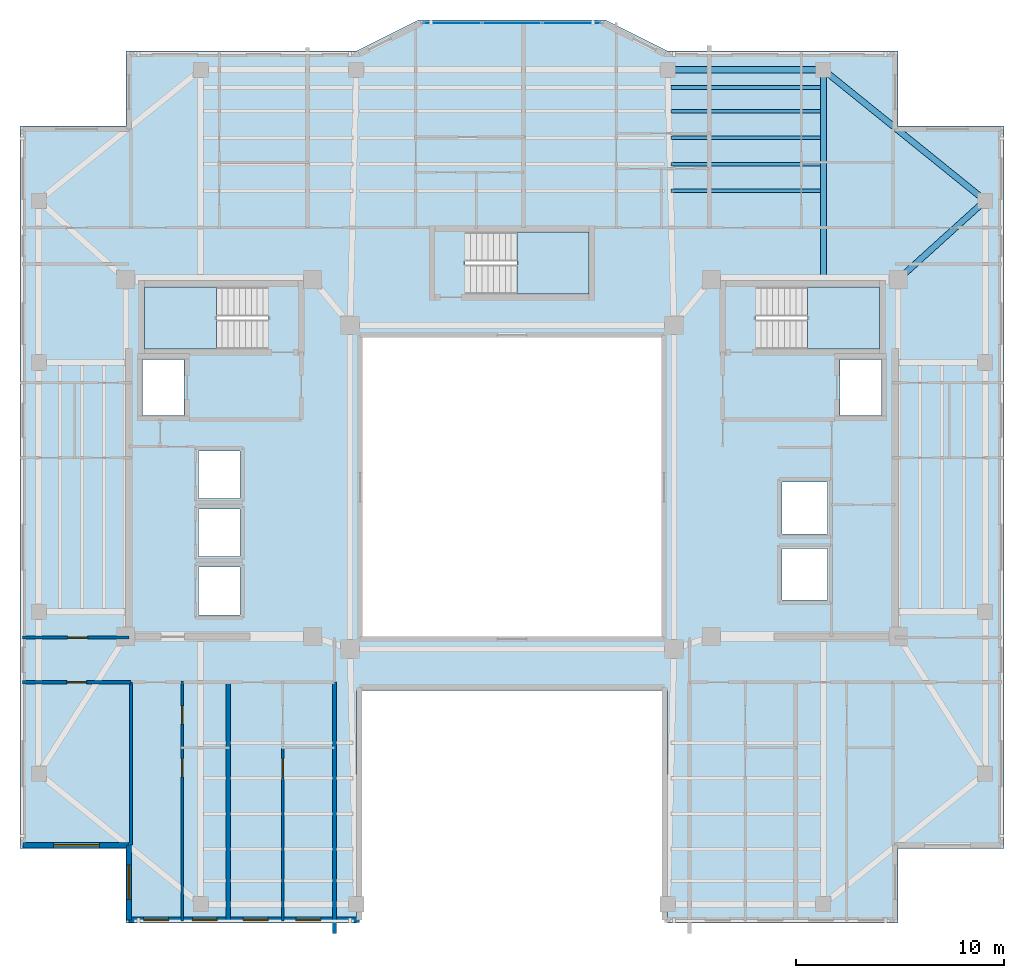
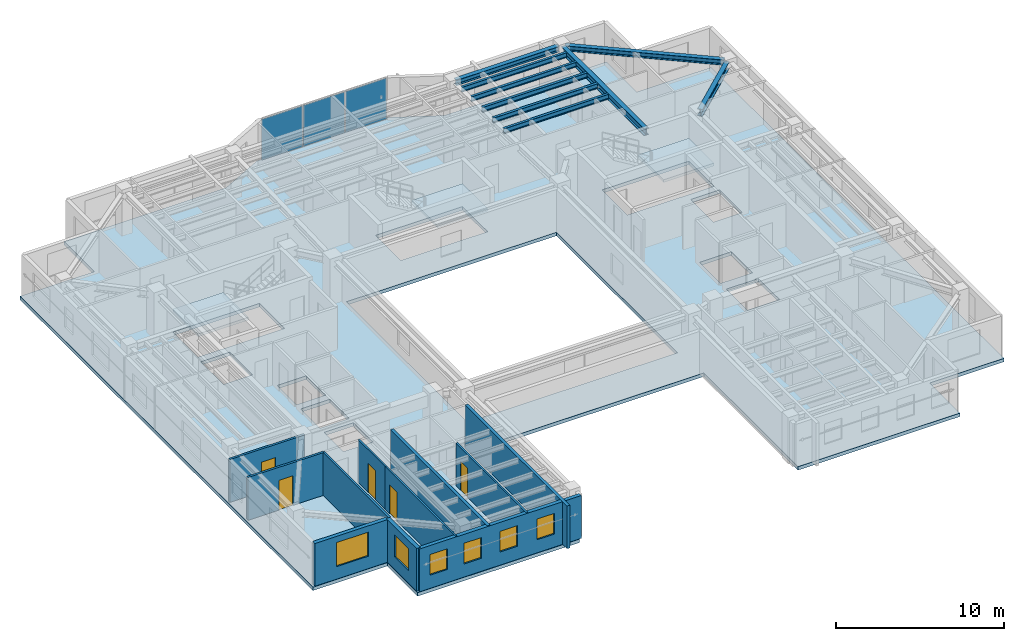
# One storey, part 3 of 12: 11 walls, 9 beams, 6 windows, 5 doors, 4 slabs, 3 plates, 11 openings, 4 elements without a shape of their own.
"""IFC4 building model written with IfcOpenShell, lengths in metres."""

from ifc_helpers import new_model, si_unit, direction, frame, frame_2d, origin, origin_2d, place, context, subcontext, project, spatial, polyline, rectangle, i_section, outline, extrude, material, layer, layer_set, material_profile, profile_set, type_object, element, fill, aggregate, save


model = new_model("IFC4")

# Units and contexts
model_context = context("Model", 3, precision=1e-05, world=origin(), true_north=direction((0.0, 1.0)))
body_context = subcontext(model_context, "Body", "Model", "MODEL_VIEW")
ifc_project = project(units=[si_unit("LENGTHUNIT", "METRE"), si_unit("AREAUNIT", "SQUARE_METRE"), si_unit("VOLUMEUNIT", "CUBIC_METRE"), si_unit("PLANEANGLEUNIT", "RADIAN"), si_unit("MASSUNIT", "GRAM", prefix="KILO")], contexts=[model_context])

# Site, building, storey
site_placement = place(None, origin())
site = spatial("IfcSite", under=ifc_project, at=site_placement, CompositionType="ELEMENT")
building_placement = place(site_placement, origin())
building = spatial("IfcBuilding", under=site, at=building_placement, Name="Tarnavaz Court Tower", CompositionType="ELEMENT")
storey_placement = place(building_placement, frame((0.0, 0.0, 207.0)))
storey = spatial("IfcBuildingStorey", under=building, at=storey_placement, Name="L56", CompositionType="ELEMENT", Elevation=207.0)

# Beams
ifc_material_1 = material(Name="Steel S355", Category="steel")
ifc_material_profile_1 = material_profile(ifc_material_1, i_section(OverallWidth=0.300048828125, OverallDepth=0.5, WebThickness=0.014404296875, FlangeThickness=0.028076171875, FilletRadius=0.027099609375, at=origin_2d()), Name="HEB 500")
ifc_profile_set_1 = profile_set([ifc_material_profile_1], Name="Steel S355")
beam_type_1 = type_object("IfcBeamType", Name="BM-G-HEB500", PredefinedType="USERDEFINED", material=ifc_profile_set_1)
beam_1_placement = place(storey_placement, frame((15.0, 10.0400390625, 2.85009765625), z_axis=(0.0, 1.0, 0.0), x_axis=(-1.0, 0.0, 0.0)))
element("IfcBeam", 1, at=beam_1_placement, inside=storey, type_object=beam_type_1, Name="L56 Beam RG-04", ObjectType="GIRDER", PredefinedType="USERDEFINED", context=body_context, shape_type="SweptSolid", body=[
    extrude(i_section(OverallWidth=0.300048828125, OverallDepth=0.5, WebThickness=0.014404296875, FlangeThickness=0.028076171875, FilletRadius=0.027099609375, at=origin_2d()), origin(), (0.0, 0.0, 1.0), 9.83984375),
])
beam_2_placement = place(storey_placement, frame((18.76318359375, 10.147705078125, 2.85009765625), z_axis=(0.741555708494, 0.670891296113, 0.0), x_axis=(-0.670891296113, 0.741555708494, 0.0)))
element("IfcBeam", 2, at=beam_2_placement, inside=storey, type_object=beam_type_1, Name="L56 Beam RG-12", ObjectType="GIRDER", PredefinedType="USERDEFINED", context=body_context, shape_type="SweptSolid", body=[
    extrude(i_section(OverallWidth=0.300048828125, OverallDepth=0.5, WebThickness=0.014404296875, FlangeThickness=0.028076171875, FilletRadius=0.027099609375, at=origin_2d()), origin(), (0.0, 0.0, 1.0), 5.223876953125),
])
ifc_material_profile_2 = material_profile(ifc_material_1, i_section(OverallWidth=0.169921875, OverallDepth=0.360107421875, WebThickness=0.008056640625, FlangeThickness=0.0126953125, FilletRadius=0.01806640625, at=origin_2d()), Name="IPE 360")
ifc_profile_set_2 = profile_set([ifc_material_profile_2], Name="Steel S355")
beam_type_2 = type_object("IfcBeamType", Name="BM-J-IPE360", PredefinedType="JOIST", material=ifc_profile_set_2)
for number, where, z_axis, x_axis, name in (
    (3, (7.64990234375, 14.278076171875, 2.919921875), (1.0, 0.0, 0.0), (0.0, 1.0, 0.0), "L56 Beam JN1-3"),
    (4, (7.64990234375, 15.555908203125, 2.919921875), (1.0, 0.0, 0.0), (0.0, 1.0, 0.0), "L56 Beam JN2-3"),
    (5, (7.64990234375, 16.833984375, 2.919921875), (1.0, 0.0, 0.0), (0.0, 1.0, 0.0), "L56 Beam JN3-3"),
    (6, (7.64990234375, 18.112060546875, 2.919921875), (1.0, 0.0, 0.0), (0.0, 1.0, 0.0), "L56 Beam JN4-3"),
    (7, (7.64990234375, 19.248046875, 2.919921875), (1.0, 0.0, 0.0), (0.0, 1.0, 0.0), "L56 Beam JN5-3"),
):
    element("IfcBeam", number, at=place(storey_placement, frame(where, z_axis=z_axis, x_axis=x_axis)), inside=storey, type_object=beam_type_2, Name=name, PredefinedType="JOIST", context=body_context, shape_type="SweptSolid", body=[
        extrude(i_section(OverallWidth=0.169921875, OverallDepth=0.360107421875, WebThickness=0.008056640625, FlangeThickness=0.0126953125, FilletRadius=0.01806640625, at=origin_2d()), origin(), (0.0, 0.0, 1.0), 7.2001953125),
    ])
ifc_material_profile_3 = material_profile(ifc_material_1, i_section(OverallWidth=0.300048828125, OverallDepth=0.389892578125, WebThickness=0.010986328125, FlangeThickness=0.01904296875, FilletRadius=0.027099609375, at=origin_2d()), Name="HEA 400")
ifc_profile_set_3 = profile_set([ifc_material_profile_3], Name="Steel S355")
beam_type_3 = type_object("IfcBeamType", Name="BM-SP-HEA400", PredefinedType="BEAM", material=ifc_profile_set_3)
beam_3_placement = place(storey_placement, frame((7.719970703125, 20.10009765625, 2.905029296875), z_axis=(1.0, 0.0, 0.0), x_axis=(0.0, 1.0, 0.0)))
element("IfcBeam", 8, at=beam_3_placement, inside=storey, type_object=beam_type_3, Name="L56 Beam PR-PN-3-PN-4", PredefinedType="BEAM", context=body_context, shape_type="SweptSolid", body=[
    extrude(i_section(OverallWidth=0.300048828125, OverallDepth=0.389892578125, WebThickness=0.010986328125, FlangeThickness=0.01904296875, FilletRadius=0.027099609375, at=origin_2d()), origin(), (0.0, 0.0, 1.0), 7.06005859375),
])
beam_4_placement = place(storey_placement, frame((15.171142578125, 19.9619140625, 2.905029296875), z_axis=(0.777935913531, -0.628343627674, 0.0), x_axis=(0.628343627674, 0.777935913531, 0.0)))
element("IfcBeam", 9, at=beam_4_placement, inside=storey, type_object=beam_type_3, Name="L56 Beam PR-PN-4-PE-4", PredefinedType="BEAM", context=body_context, shape_type="SweptSolid", body=[
    extrude(i_section(OverallWidth=0.300048828125, OverallDepth=0.389892578125, WebThickness=0.010986328125, FlangeThickness=0.01904296875, FilletRadius=0.027099609375, at=origin_2d()), origin(), (0.0, 0.0, 1.0), 9.586669921875),
])

# Curtain wall, plates
ifc_material_2 = material(Name="Anodised Aluminium 6063-T6 and Solar Low-E Glazing", Category="aluminium")
ifc_layer_1 = layer(ifc_material_2, 0.159912109375)
ifc_layer_set_1 = layer_set([ifc_layer_1], Name="Anodised Aluminium 6063-T6 and Solar Low-E Glazing")
curtain_wall_type = type_object("IfcCurtainWallType", Name="CW-SYS-03", PredefinedType="NOTDEFINED", material=ifc_layer_set_1)
curtain_wall_placement = place(storey_placement, origin())
curtain_wall = element("IfcCurtainWall", 10, at=curtain_wall_placement, inside=storey, type_object=curtain_wall_type, Name="L56 Iwan Prow Curtain Wall 7", PredefinedType="NOTDEFINED")
ifc_material_3 = material(Name="Double-Glazed Solar Low-E Glass", Category="glass")
ifc_layer_2 = layer(ifc_material_3, 0.028076171875)
ifc_layer_set_2 = layer_set([ifc_layer_2], Name="Double-Glazed Solar Low-E Glass")
plate_type = type_object("IfcPlateType", Name="CW-PAN-GLZ28", PredefinedType="CURTAIN_PANEL", material=ifc_layer_set_2)
plate_1_placement = place(storey_placement, frame((-2.88134765625, 22.35009765625, 0.06494140625), z_axis=(0.0, 0.0, 1.0), x_axis=(1.0, 0.0, 0.0)))
plate_1 = element("IfcPlate", 11, at=plate_1_placement, type_object=plate_type, Name="CW panel 1.1", PredefinedType="CURTAIN_PANEL", context=body_context, shape_type="SweptSolid", body=[
    extrude(rectangle(XDim=2.78759765625, YDim=0.028076171875, at=origin_2d()), origin(), (0.0, 0.0, 1.0), 2.969970703125),
])
plate_2_placement = place(storey_placement, frame((0.0, 22.35009765625, 0.06494140625), z_axis=(0.0, 0.0, 1.0), x_axis=(1.0, 0.0, 0.0)))
plate_2 = element("IfcPlate", 12, at=plate_2_placement, type_object=plate_type, Name="CW panel 2.1", PredefinedType="CURTAIN_PANEL", context=body_context, shape_type="SweptSolid", body=[
    extrude(rectangle(XDim=2.824951171875, YDim=0.028076171875, at=origin_2d()), origin(), (0.0, 0.0, 1.0), 2.969970703125),
])
plate_3_placement = place(storey_placement, frame((2.88134765625, 22.35009765625, 0.06494140625), z_axis=(0.0, 0.0, 1.0), x_axis=(1.0, 0.0, 0.0)))
plate_3 = element("IfcPlate", 13, at=plate_3_placement, type_object=plate_type, Name="CW panel 3.1", PredefinedType="CURTAIN_PANEL", context=body_context, shape_type="SweptSolid", body=[
    extrude(rectangle(XDim=2.78759765625, YDim=0.028076171875, at=origin_2d()), origin(), (0.0, 0.0, 1.0), 2.969970703125),
])
aggregate(curtain_wall, [plate_1, plate_2, plate_3])

# Stair, slab
ifc_material_4 = material(Name="Concrete C40/50", Category="concrete")
stair_type = type_object("IfcStairType", Name="ST-TWR-20R", PredefinedType="HALF_TURN_STAIR", material=ifc_material_4)
stair_1_placement = place(storey_placement, origin())
stair_1 = element("IfcStair", 14, at=stair_1_placement, inside=storey, type_object=stair_type, Name="L56 West Core Pressurized Exit Stair ST-W1", PredefinedType="HALF_TURN_STAIR")
ifc_layer_3 = layer(ifc_material_4, 0.199951171875)
ifc_layer_set_3 = layer_set([ifc_layer_3], Name="Concrete C40/50")
slab_type_1 = type_object("IfcSlabType", Name="SL-LAND-200", PredefinedType="LANDING", material=ifc_layer_set_3)
slab_1_placement = place(storey_placement, frame((0.0, 0.0, 1.47509765625)))
slab_1 = element("IfcSlab", 15, at=slab_1_placement, type_object=slab_type_1, Name="ST-W1 landing 1", PredefinedType="LANDING", context=body_context, shape_type="SweptSolid", body=[
    extrude(outline(polyline([(-14.239990234375, 9.639892578125), (-17.699951171875, 9.639892578125), (-17.699951171875, 6.64990234375), (-14.239990234375, 6.64990234375), (-14.239990234375, 9.639892578125)])), origin(), (0.0, 0.0, 1.0), 0.199951171875),
])
aggregate(stair_1, [slab_1])

stair_2_placement = place(storey_placement, origin())
stair_2 = element("IfcStair", 16, at=stair_2_placement, inside=storey, type_object=stair_type, Name="L56 East Core Pressurized Exit Stair ST-E1", PredefinedType="HALF_TURN_STAIR")
slab_2_placement = place(storey_placement, frame((0.0, 0.0, 1.47509765625)))
slab_2 = element("IfcSlab", 17, at=slab_2_placement, type_object=slab_type_1, Name="ST-E1 landing 1", PredefinedType="LANDING", context=body_context, shape_type="SweptSolid", body=[
    extrude(outline(polyline([(14.239990234375, 6.64990234375), (17.699951171875, 6.64990234375), (17.699951171875, 9.639892578125), (14.239990234375, 9.639892578125), (14.239990234375, 6.64990234375)])), origin(), (0.0, 0.0, 1.0), 0.199951171875),
])
aggregate(stair_2, [slab_2])

stair_3_placement = place(storey_placement, origin())
stair_3 = element("IfcStair", 18, at=stair_3_placement, inside=storey, type_object=stair_type, Name="L56 North Ring Pressurized Exit Stair ST-N1", PredefinedType="HALF_TURN_STAIR")
slab_3_placement = place(storey_placement, frame((0.0, 0.0, 1.47509765625)))
slab_3 = element("IfcSlab", 19, at=slab_3_placement, type_object=slab_type_1, Name="ST-N1 landing 1", PredefinedType="LANDING", context=body_context, shape_type="SweptSolid", body=[
    extrude(outline(polyline([(0.239990234375, 9.300048828125), (3.699951171875, 9.300048828125), (3.699951171875, 12.2900390625), (0.239990234375, 12.2900390625), (0.239990234375, 9.300048828125)])), origin(), (0.0, 0.0, 1.0), 0.199951171875),
])
aggregate(stair_3, [slab_3])

# Slab
ifc_layer_4 = layer(ifc_material_4, 0.25)
ifc_layer_set_4 = layer_set([ifc_layer_4], Name="Concrete C40/50")
slab_type_2 = type_object("IfcSlabType", Name="SL-RES-250", PredefinedType="FLOOR", material=ifc_layer_set_4)
slab_4_placement = place(storey_placement, frame((0.0, 0.0, -0.25)))
element("IfcSlab", 20, at=slab_4_placement, inside=storey, type_object=slab_type_2, Name="L56 Structural Floor Slab", PredefinedType="FLOOR", context=body_context, shape_type="SweptSolid", body=[
    extrude(outline(polyline([(-18.60009765625, -21.0), (-7.5, -21.0), (-7.5, -9.800048828125), (7.5, -9.800048828125), (7.5, -21.0), (18.60009765625, -21.0), (18.60009765625, -17.39990234375), (23.699951171875, -17.39990234375), (23.699951171875, 17.39990234375), (18.60009765625, 17.39990234375), (18.60009765625, 21.0), (7.5, 21.0), (4.5, 22.5), (-4.5, 22.5), (-7.5, 21.0), (-18.60009765625, 21.0), (-18.60009765625, 17.39990234375), (-23.699951171875, 17.39990234375), (-23.699951171875, -17.39990234375), (-18.60009765625, -17.39990234375), (-18.60009765625, -21.0)]), holes=[polyline([(-7.199951171875, -7.199951171875), (7.199951171875, -7.199951171875), (7.199951171875, 7.199951171875), (-7.199951171875, 7.199951171875), (-7.199951171875, -7.199951171875)]), polyline([(-11.7451171875, 9.639892578125), (-17.699951171875, 9.639892578125), (-17.699951171875, 6.64990234375), (-11.7451171875, 6.64990234375), (-11.7451171875, 9.639892578125)]), polyline([(11.7451171875, 6.64990234375), (17.699951171875, 6.64990234375), (17.699951171875, 9.639892578125), (11.7451171875, 9.639892578125), (11.7451171875, 6.64990234375)]), polyline([(-2.2548828125, 9.300048828125), (3.699951171875, 9.300048828125), (3.699951171875, 12.2900390625), (-2.2548828125, 12.2900390625), (-2.2548828125, 9.300048828125)]), polyline([(-17.800048828125, 3.449951171875), (-15.800048828125, 3.449951171875), (-15.800048828125, 6.14990234375), (-17.800048828125, 6.14990234375), (-17.800048828125, 3.449951171875)]), polyline([(-15.10009765625, -6.14990234375), (-13.10009765625, -6.14990234375), (-13.10009765625, -3.85009765625), (-15.10009765625, -3.85009765625), (-15.10009765625, -6.14990234375)]), polyline([(-15.10009765625, -3.35009765625), (-13.10009765625, -3.35009765625), (-13.10009765625, -1.050048828125), (-15.10009765625, -1.050048828125), (-15.10009765625, -3.35009765625)]), polyline([(-15.10009765625, -0.550048828125), (-13.10009765625, -0.550048828125), (-13.10009765625, 1.75), (-15.10009765625, 1.75), (-15.10009765625, -0.550048828125)]), polyline([(15.800048828125, 3.449951171875), (17.800048828125, 3.449951171875), (17.800048828125, 6.14990234375), (15.800048828125, 6.14990234375), (15.800048828125, 3.449951171875)]), polyline([(13.0, -5.449951171875), (15.199951171875, -5.449951171875), (15.199951171875, -2.949951171875), (13.0, -2.949951171875), (13.0, -5.449951171875)]), polyline([(13.0, -2.25), (15.199951171875, -2.25), (15.199951171875, 0.25), (13.0, 0.25), (13.0, -2.25)])]), origin(), (0.0, 0.0, 1.0), 0.25),
])

# Wall, opening, window
ifc_material_5 = material(Name="Precast Concrete C40/50", Category="concrete")
ifc_layer_5 = layer(ifc_material_5, 0.260009765625)
ifc_layer_set_5 = layer_set([ifc_layer_5], Name="Precast Concrete C40/50")
wall_type_1 = type_object("IfcWallType", Name="WL-EXT-260", PredefinedType="SOLIDWALL", material=ifc_layer_set_5)
wall_1_placement = place(storey_placement, frame((-18.449951171875, -17.25, 0.0), z_axis=(0.0, 0.0, 1.0), x_axis=(-1.0, 0.0, 0.0)))
wall_1 = element("IfcWall", 21, at=wall_1_placement, inside=storey, type_object=wall_type_1, Name="L56 Exterior Terracotta Facade Wall 01", PredefinedType="SOLIDWALL", context=body_context, shape_type="SweptSolid", body=[
    extrude(rectangle(XDim=5.10009765625, YDim=0.260009765625, at=frame_2d((2.550048828125, 0.0))), origin(), (0.0, 0.0, 1.0), 3.10009765625),
])
opening_1_placement = place(wall_1_placement, frame((1.425048828125, 0.0, 0.89990234375)))
opening_1 = element("IfcOpeningElement", 22, at=opening_1_placement, cuts=wall_1, Name="Opening W07", PredefinedType="OPENING", context=body_context, shape_type="SweptSolid", body=[
    extrude(rectangle(XDim=2.199951171875, YDim=1.75, at=frame_2d((1.10009765625, 0.875))), frame((0.0, 0.139892578125, 0.0), z_axis=(0.0, -1.0, 0.0), x_axis=(1.0, 0.0, 0.0)), (0.0, 0.0, 1.0), 0.280029296875),
])
window_type_1 = type_object("IfcWindowType", Name="WN-APT-2200", PartitioningType="TRIPLE_PANEL_VERTICAL", PredefinedType="WINDOW", material=ifc_material_3)
window_1_placement = place(opening_1_placement, origin())
window_1 = element("IfcWindow", 23, at=window_1_placement, inside=storey, type_object=window_type_1, Name="L56 South-West Corner Reading Room Window", OverallHeight=1.75, OverallWidth=2.199951171875, PartitioningType="SINGLE_PANEL", PredefinedType="WINDOW", context=body_context, shape_type="SweptSolid", body=[
    extrude(rectangle(XDim=2.199951171875, YDim=1.75, at=frame_2d((1.10009765625, 0.875))), frame((0.0, 0.030029296875, 0.0), z_axis=(0.0, -1.0, 0.0), x_axis=(1.0, 0.0, 0.0)), (0.0, 0.0, 1.0), 0.06005859375),
])
fill(opening_1, window_1)

# Wall, openings, windows
wall_2_placement = place(storey_placement, frame((-7.35009765625, -20.85009765625, 0.0), z_axis=(0.0, 0.0, 1.0), x_axis=(-1.0, 0.0, 0.0)))
wall_2 = element("IfcWall", 24, at=wall_2_placement, inside=storey, type_object=wall_type_1, Name="L56 Exterior Terracotta Facade Wall 19", PredefinedType="SOLIDWALL", context=body_context, shape_type="SweptSolid", body=[
    extrude(rectangle(XDim=11.099853515625, YDim=0.260009765625, at=frame_2d((5.5498046875, 0.0))), origin(), (0.0, 0.0, 1.0), 3.10009765625),
])
opening_2_placement = place(wall_2_placement, frame((1.861083984375, 0.0, 0.949951171875)))
opening_2 = element("IfcOpeningElement", 25, at=opening_2_placement, cuts=wall_2, Name="Opening W05", PredefinedType="OPENING", context=body_context, shape_type="SweptSolid", body=[
    extrude(rectangle(XDim=1.199951171875, YDim=1.5, at=frame_2d((0.60009765625, 0.75))), frame((0.0, 0.139892578125, 0.0), z_axis=(0.0, -1.0, 0.0), x_axis=(1.0, 0.0, 0.0)), (0.0, 0.0, 1.0), 0.280029296875),
])
opening_3_placement = place(wall_2_placement, frame((4.3974609375, 0.0, 0.949951171875)))
opening_3 = element("IfcOpeningElement", 26, at=opening_3_placement, cuts=wall_2, Name="Opening W05", PredefinedType="OPENING", context=body_context, shape_type="SweptSolid", body=[
    extrude(rectangle(XDim=1.199951171875, YDim=1.5, at=frame_2d((0.60009765625, 0.75))), frame((0.0, 0.139892578125, 0.0), z_axis=(0.0, -1.0, 0.0), x_axis=(1.0, 0.0, 0.0)), (0.0, 0.0, 1.0), 0.280029296875),
])
opening_4_placement = place(wall_2_placement, frame((6.85009765625, 0.0, 0.949951171875)))
opening_4 = element("IfcOpeningElement", 27, at=opening_4_placement, cuts=wall_2, Name="Opening W05", PredefinedType="OPENING", context=body_context, shape_type="SweptSolid", body=[
    extrude(rectangle(XDim=1.199951171875, YDim=1.5, at=frame_2d((0.60009765625, 0.75))), frame((0.0, 0.139892578125, 0.0), z_axis=(0.0, -1.0, 0.0), x_axis=(1.0, 0.0, 0.0)), (0.0, 0.0, 1.0), 0.280029296875),
])
opening_5_placement = place(wall_2_placement, frame((9.194091796875, 0.0, 0.949951171875)))
opening_5 = element("IfcOpeningElement", 28, at=opening_5_placement, cuts=wall_2, Name="Opening W05", PredefinedType="OPENING", context=body_context, shape_type="SweptSolid", body=[
    extrude(rectangle(XDim=1.199951171875, YDim=1.5, at=frame_2d((0.60009765625, 0.75))), frame((0.0, 0.139892578125, 0.0), z_axis=(0.0, -1.0, 0.0), x_axis=(1.0, 0.0, 0.0)), (0.0, 0.0, 1.0), 0.280029296875),
])
window_type_2 = type_object("IfcWindowType", Name="WN-APT-1200", PartitioningType="SINGLE_PANEL", PredefinedType="WINDOW", material=ifc_material_3)
window_2_placement = place(opening_2_placement, origin())
window_2 = element("IfcWindow", 29, at=window_2_placement, inside=storey, type_object=window_type_2, Name="L56 Flat 06 Kitchen Window", OverallHeight=1.5, OverallWidth=1.199951171875, PartitioningType="SINGLE_PANEL", PredefinedType="WINDOW", context=body_context, shape_type="SweptSolid", body=[
    extrude(rectangle(XDim=1.199951171875, YDim=1.5, at=frame_2d((0.60009765625, 0.75))), frame((0.0, 0.030029296875, 0.0), z_axis=(0.0, -1.0, 0.0), x_axis=(1.0, 0.0, 0.0)), (0.0, 0.0, 1.0), 0.06005859375),
])
fill(opening_2, window_2)
window_3_placement = place(opening_3_placement, origin())
window_3 = element("IfcWindow", 30, at=window_3_placement, inside=storey, type_object=window_type_2, Name="L56 Flat 06 Studio Living and Sleeping Room Window", OverallHeight=1.5, OverallWidth=1.199951171875, PartitioningType="SINGLE_PANEL", PredefinedType="WINDOW", context=body_context, shape_type="SweptSolid", body=[
    extrude(rectangle(XDim=1.199951171875, YDim=1.5, at=frame_2d((0.60009765625, 0.75))), frame((0.0, 0.030029296875, 0.0), z_axis=(0.0, -1.0, 0.0), x_axis=(1.0, 0.0, 0.0)), (0.0, 0.0, 1.0), 0.06005859375),
])
fill(opening_3, window_3)
window_4_placement = place(opening_4_placement, origin())
window_4 = element("IfcWindow", 31, at=window_4_placement, inside=storey, type_object=window_type_2, Name="L56 Flat 05 Kitchen Window", OverallHeight=1.5, OverallWidth=1.199951171875, PartitioningType="SINGLE_PANEL", PredefinedType="WINDOW", context=body_context, shape_type="SweptSolid", body=[
    extrude(rectangle(XDim=1.199951171875, YDim=1.5, at=frame_2d((0.60009765625, 0.75))), frame((0.0, 0.030029296875, 0.0), z_axis=(0.0, -1.0, 0.0), x_axis=(1.0, 0.0, 0.0)), (0.0, 0.0, 1.0), 0.06005859375),
])
fill(opening_4, window_4)
window_5_placement = place(opening_5_placement, origin())
window_5 = element("IfcWindow", 32, at=window_5_placement, inside=storey, type_object=window_type_2, Name="L56 Flat 05 Studio Living and Sleeping Room Window", OverallHeight=1.5, OverallWidth=1.199951171875, PartitioningType="SINGLE_PANEL", PredefinedType="WINDOW", context=body_context, shape_type="SweptSolid", body=[
    extrude(rectangle(XDim=1.199951171875, YDim=1.5, at=frame_2d((0.60009765625, 0.75))), frame((0.0, 0.030029296875, 0.0), z_axis=(0.0, -1.0, 0.0), x_axis=(1.0, 0.0, 0.0)), (0.0, 0.0, 1.0), 0.06005859375),
])
fill(opening_5, window_5)

# Wall, opening, window
wall_3_placement = place(storey_placement, frame((-18.449951171875, -20.85009765625, 0.0), z_axis=(0.0, 0.0, 1.0), x_axis=(0.0, 1.0, 0.0)))
wall_3 = element("IfcWall", 33, at=wall_3_placement, inside=storey, type_object=wall_type_1, Name="L56 Exterior Terracotta Facade Wall 20", PredefinedType="SOLIDWALL", context=body_context, shape_type="SweptSolid", body=[
    extrude(rectangle(XDim=3.60009765625, YDim=0.260009765625, at=frame_2d((1.800048828125, 0.0))), origin(), (0.0, 0.0, 1.0), 3.10009765625),
])
opening_6_placement = place(wall_3_placement, frame((0.992431640625, 0.0, 0.89990234375)))
opening_6 = element("IfcOpeningElement", 34, at=opening_6_placement, cuts=wall_3, Name="Opening W02", PredefinedType="OPENING", context=body_context, shape_type="SweptSolid", body=[
    extrude(rectangle(XDim=1.64990234375, YDim=1.60009765625, at=frame_2d((0.824951171875, 0.800048828125))), frame((0.0, 0.139892578125, 0.0), z_axis=(0.0, -1.0, 0.0), x_axis=(1.0, 0.0, 0.0)), (0.0, 0.0, 1.0), 0.280029296875),
])
window_type_3 = type_object("IfcWindowType", Name="WN-APT-1650", PartitioningType="DOUBLE_PANEL_VERTICAL", PredefinedType="WINDOW", material=ifc_material_3)
window_6_placement = place(opening_6_placement, origin())
window_6 = element("IfcWindow", 35, at=window_6_placement, inside=storey, type_object=window_type_3, Name="L56 Flat 05 Studio Living and Sleeping Room Window", OverallHeight=1.60009765625, OverallWidth=1.64990234375, PartitioningType="SINGLE_PANEL", PredefinedType="WINDOW", context=body_context, shape_type="SweptSolid", body=[
    extrude(rectangle(XDim=1.64990234375, YDim=1.60009765625, at=frame_2d((0.824951171875, 0.800048828125))), frame((0.0, 0.030029296875, 0.0), z_axis=(0.0, -1.0, 0.0), x_axis=(1.0, 0.0, 0.0)), (0.0, 0.0, 1.0), 0.06005859375),
])
fill(opening_6, window_6)

# Wall, opening, door
ifc_material_6 = material(Name="Gypsum Fire-Board on Acoustic Metal Stud", Category="masonry")
ifc_layer_6 = layer(ifc_material_6, 0.14990234375)
ifc_layer_set_6 = layer_set([ifc_layer_6], Name="Gypsum Fire-Board on Acoustic Metal Stud")
wall_type_2 = type_object("IfcWallType", Name="WL-FIRE-150", PredefinedType="PARTITIONING", material=ifc_layer_set_6)
wall_4_placement = place(storey_placement, frame((-23.580078125, -7.25, 0.0), z_axis=(0.0, 0.0, 1.0), x_axis=(1.0, 0.0, 0.0)))
wall_4 = element("IfcWall", 36, at=wall_4_placement, inside=storey, type_object=wall_type_2, Name="L56 Interior Partition 096", PredefinedType="PARTITIONING", context=body_context, shape_type="SweptSolid", body=[
    extrude(rectangle(XDim=5.130126953125, YDim=0.14990234375, at=frame_2d((2.56494140625, 0.0))), origin(), (0.0, 0.0, 1.0), 3.10009765625),
])
opening_7_placement = place(wall_4_placement, frame((2.179931640625, 0.0, 0.0)))
opening_7 = element("IfcOpeningElement", 37, at=opening_7_placement, cuts=wall_4, Name="Opening D06", PredefinedType="OPENING", context=body_context, shape_type="SweptSolid", body=[
    extrude(rectangle(XDim=0.9599609375, YDim=2.14990234375, at=frame_2d((0.47998046875, 1.074951171875))), frame((0.0, 0.0849609375, 0.0), z_axis=(0.0, -1.0, 0.0), x_axis=(1.0, 0.0, 0.0)), (0.0, 0.0, 1.0), 0.169921875),
])
ifc_material_7 = material(Name="Fire-Rated Hardwood Timber Core", Category="wood")
door_type_1 = type_object("IfcDoorType", Name="DR-FD60-950", OperationType="NOTDEFINED", PredefinedType="DOOR", material=ifc_material_7)
door_1_placement = place(opening_7_placement, origin())
door_1 = element("IfcDoor", 38, at=door_1_placement, inside=storey, type_object=door_type_1, Name="L56 Flat 09 Entrance Door", OperationType="SINGLE_SWING_LEFT", OverallHeight=2.14990234375, OverallWidth=0.9599609375, PredefinedType="DOOR", context=body_context, shape_type="SweptSolid", body=[
    extrude(rectangle(XDim=0.9599609375, YDim=2.14990234375, at=frame_2d((0.47998046875, 1.074951171875))), frame((0.0, 0.02490234375, 0.0), z_axis=(0.0, -1.0, 0.0), x_axis=(1.0, 0.0, 0.0)), (0.0, 0.0, 1.0), 0.050048828125),
])
fill(opening_7, door_1)

wall_5_placement = place(storey_placement, frame((-23.580078125, -9.39990234375, 0.0), z_axis=(0.0, 0.0, 1.0), x_axis=(1.0, 0.0, 0.0)))
wall_5 = element("IfcWall", 39, at=wall_5_placement, inside=storey, type_object=wall_type_2, Name="L56 Interior Partition 106", PredefinedType="PARTITIONING", context=body_context, shape_type="SweptSolid", body=[
    extrude(rectangle(XDim=5.22998046875, YDim=0.14990234375, at=frame_2d((2.614990234375, 0.0))), origin(), (0.0, 0.0, 1.0), 3.10009765625),
])
opening_8_placement = place(wall_5_placement, frame((2.139892578125, 0.0, 0.0)))
opening_8 = element("IfcOpeningElement", 40, at=opening_8_placement, cuts=wall_5, Name="Opening D13", PredefinedType="OPENING", context=body_context, shape_type="SweptSolid", body=[
    extrude(rectangle(XDim=0.949951171875, YDim=2.14990234375, at=frame_2d((0.47509765625, 1.074951171875))), frame((0.0, 0.0849609375, 0.0), z_axis=(0.0, -1.0, 0.0), x_axis=(1.0, 0.0, 0.0)), (0.0, 0.0, 1.0), 0.169921875),
])
ifc_material_8 = material(Name="Engineered Oak Timber", Category="wood")
door_type_2 = type_object("IfcDoorType", Name="DR-INT-950", OperationType="NOTDEFINED", PredefinedType="DOOR", material=ifc_material_8)
door_2_placement = place(opening_8_placement, origin())
door_2 = element("IfcDoor", 41, at=door_2_placement, inside=storey, type_object=door_type_2, Name="L56 SW Reading Room Door", OperationType="SINGLE_SWING_LEFT", OverallHeight=2.14990234375, OverallWidth=0.949951171875, PredefinedType="DOOR", context=body_context, shape_type="SweptSolid", body=[
    extrude(rectangle(XDim=0.949951171875, YDim=2.14990234375, at=frame_2d((0.47509765625, 1.074951171875))), frame((0.0, 0.02490234375, 0.0), z_axis=(0.0, -1.0, 0.0), x_axis=(1.0, 0.0, 0.0)), (0.0, 0.0, 1.0), 0.050048828125),
])
fill(opening_8, door_2)

# Walls
ifc_material_9 = material(Name="Autoclaved Aerated Concrete Blockwork", Category="masonry")
ifc_layer_7 = layer(ifc_material_9, 0.199951171875)
ifc_layer_set_7 = layer_set([ifc_layer_7], Name="Autoclaved Aerated Concrete Blockwork")
wall_type_3 = type_object("IfcWallType", Name="WL-FIRE-200", PredefinedType="SOLIDWALL", material=ifc_layer_set_7)
wall_6_placement = place(storey_placement, frame((-13.669921875, -20.89990234375, 0.0), z_axis=(0.0, 0.0, 1.0), x_axis=(0.0, 1.0, 0.0)))
element("IfcWall", 42, at=wall_6_placement, inside=storey, type_object=wall_type_3, Name="L56 Party Wall 080", PredefinedType="SOLIDWALL", context=body_context, shape_type="SweptSolid", body=[
    extrude(rectangle(XDim=11.5, YDim=0.199951171875, at=frame_2d((5.75, 0.0))), origin(), (0.0, 0.0, 1.0), 3.10009765625),
])
wall_7_placement = place(storey_placement, frame((-8.550048828125, -21.50390625, 0.0), z_axis=(0.0, 0.0, 1.0), x_axis=(0.0, 1.0, 0.0)))
element("IfcWall", 43, at=wall_7_placement, inside=storey, type_object=wall_type_3, Name="L56 Party Wall 094", PredefinedType="SOLIDWALL", context=body_context, shape_type="SweptSolid", body=[
    extrude(rectangle(XDim=12.10400390625, YDim=0.199951171875, at=frame_2d((6.052001953125, 0.0))), origin(), (0.0, 0.0, 1.0), 3.10009765625),
])

# Wall, opening, door
ifc_material_10 = material(Name="Moisture-Resistant Gypsum Board Partition", Category="masonry")
ifc_layer_8 = layer(ifc_material_10, 0.1201171875)
ifc_layer_set_8 = layer_set([ifc_layer_8], Name="Moisture-Resistant Gypsum Board Partition")
wall_type_4 = type_object("IfcWallType", Name="WL-PART-120", PredefinedType="PARTITIONING", material=ifc_layer_set_8)
wall_8_placement = place(storey_placement, frame((-15.889892578125, -20.89990234375, 0.0), z_axis=(0.0, 0.0, 1.0), x_axis=(0.0, 1.0, 0.0)))
wall_8 = element("IfcWall", 44, at=wall_8_placement, inside=storey, type_object=wall_type_4, Name="L56 Interior Partition 081", PredefinedType="PARTITIONING", context=body_context, shape_type="SweptSolid", body=[
    extrude(rectangle(XDim=8.33984375, YDim=0.1201171875, at=frame_2d((4.169921875, 0.0))), origin(), (0.0, 0.0, 1.0), 3.10009765625),
])
opening_9_placement = place(wall_8_placement, frame((6.93994140625, 0.0, 0.0)))
opening_9 = element("IfcOpeningElement", 45, at=opening_9_placement, cuts=wall_8, Name="Opening D14", PredefinedType="OPENING", context=body_context, shape_type="SweptSolid", body=[
    extrude(rectangle(XDim=0.8798828125, YDim=2.10009765625, at=frame_2d((0.43994140625, 1.050048828125))), frame((0.0, 0.070068359375, 0.0), z_axis=(0.0, -1.0, 0.0), x_axis=(1.0, 0.0, 0.0)), (0.0, 0.0, 1.0), 0.14013671875),
])
door_type_3 = type_object("IfcDoorType", Name="DR-INT-900", OperationType="NOTDEFINED", PredefinedType="DOOR", material=ifc_material_8)
door_3_placement = place(opening_9_placement, origin())
door_3 = element("IfcDoor", 46, at=door_3_placement, inside=storey, type_object=door_type_3, Name="L56 Flat 05 Kitchen Door", OperationType="SINGLE_SWING_RIGHT", OverallHeight=2.10009765625, OverallWidth=0.8798828125, PredefinedType="DOOR", context=body_context, shape_type="SweptSolid", body=[
    extrude(rectangle(XDim=0.8798828125, YDim=2.10009765625, at=frame_2d((0.43994140625, 1.050048828125))), frame((0.0, 0.02490234375, 0.0), z_axis=(0.0, -1.0, 0.0), x_axis=(1.0, 0.0, 0.0)), (0.0, 0.0, 1.0), 0.050048828125),
])
fill(opening_9, door_3)

wall_9_placement = place(storey_placement, frame((-15.889892578125, -12.56005859375, 0.0), z_axis=(0.0, 0.0, 1.0), x_axis=(0.0, 1.0, 0.0)))
wall_9 = element("IfcWall", 47, at=wall_9_placement, inside=storey, type_object=wall_type_4, Name="L56 Interior Partition 082", PredefinedType="PARTITIONING", context=body_context, shape_type="SweptSolid", body=[
    extrude(rectangle(XDim=3.219970703125, YDim=0.1201171875, at=frame_2d((1.60986328125, 0.0))), origin(), (0.0, 0.0, 1.0), 3.10009765625),
])
opening_10_placement = place(wall_9_placement, frame((1.139892578125, 0.0, 0.0)))
opening_10 = element("IfcOpeningElement", 48, at=opening_10_placement, cuts=wall_9, Name="Opening D14", PredefinedType="OPENING", context=body_context, shape_type="SweptSolid", body=[
    extrude(rectangle(XDim=0.8798828125, YDim=2.10009765625, at=frame_2d((0.43994140625, 1.050048828125))), frame((0.0, 0.070068359375, 0.0), z_axis=(0.0, -1.0, 0.0), x_axis=(1.0, 0.0, 0.0)), (0.0, 0.0, 1.0), 0.14013671875),
])
door_4_placement = place(opening_10_placement, origin())
door_4 = element("IfcDoor", 49, at=door_4_placement, inside=storey, type_object=door_type_3, Name="L56 Flat 05 Bathroom Door", OperationType="SINGLE_SWING_LEFT", OverallHeight=2.10009765625, OverallWidth=0.8798828125, PredefinedType="DOOR", context=body_context, shape_type="SweptSolid", body=[
    extrude(rectangle(XDim=0.8798828125, YDim=2.10009765625, at=frame_2d((0.43994140625, 1.050048828125))), frame((0.0, 0.02490234375, 0.0), z_axis=(0.0, -1.0, 0.0), x_axis=(1.0, 0.0, 0.0)), (0.0, 0.0, 1.0), 0.050048828125),
])
fill(opening_10, door_4)

wall_10_placement = place(storey_placement, frame((-11.035888671875, -20.89990234375, 0.0), z_axis=(0.0, 0.0, 1.0), x_axis=(0.0, 1.0, 0.0)))
wall_10 = element("IfcWall", 50, at=wall_10_placement, inside=storey, type_object=wall_type_4, Name="L56 Interior Partition 084", PredefinedType="PARTITIONING", context=body_context, shape_type="SweptSolid", body=[
    extrude(rectangle(XDim=8.33984375, YDim=0.1201171875, at=frame_2d((4.169921875, 0.0))), origin(), (0.0, 0.0, 1.0), 3.10009765625),
])
opening_11_placement = place(wall_10_placement, frame((6.93994140625, 0.0, 0.0)))
opening_11 = element("IfcOpeningElement", 51, at=opening_11_placement, cuts=wall_10, Name="Opening D14", PredefinedType="OPENING", context=body_context, shape_type="SweptSolid", body=[
    extrude(rectangle(XDim=0.8798828125, YDim=2.10009765625, at=frame_2d((0.43994140625, 1.050048828125))), frame((0.0, 0.070068359375, 0.0), z_axis=(0.0, -1.0, 0.0), x_axis=(1.0, 0.0, 0.0)), (0.0, 0.0, 1.0), 0.14013671875),
])
door_5_placement = place(opening_11_placement, origin())
door_5 = element("IfcDoor", 52, at=door_5_placement, inside=storey, type_object=door_type_3, Name="L56 Flat 06 Kitchen Door", OperationType="SINGLE_SWING_LEFT", OverallHeight=2.10009765625, OverallWidth=0.8798828125, PredefinedType="DOOR", context=body_context, shape_type="SweptSolid", body=[
    extrude(rectangle(XDim=0.8798828125, YDim=2.10009765625, at=frame_2d((0.43994140625, 1.050048828125))), frame((0.0, 0.02490234375, 0.0), z_axis=(0.0, -1.0, 0.0), x_axis=(1.0, 0.0, 0.0)), (0.0, 0.0, 1.0), 0.050048828125),
])
fill(opening_11, door_5)

# Wall
ifc_material_11 = material(Name="Gypsum Plasterboard Acoustic Partition", Category="masonry")
ifc_layer_9 = layer(ifc_material_11, 0.139892578125)
ifc_layer_set_9 = layer_set([ifc_layer_9], Name="Gypsum Plasterboard Acoustic Partition")
wall_type_5 = type_object("IfcWallType", Name="WL-PART-150", PredefinedType="PARTITIONING", material=ifc_layer_set_9)
wall_11_placement = place(storey_placement, frame((-18.35009765625, -17.25, 0.0), z_axis=(0.0, 0.0, 1.0), x_axis=(0.0, 1.0, 0.0)))
element("IfcWall", 53, at=wall_11_placement, inside=storey, type_object=wall_type_5, Name="L56 Interior Partition 100", PredefinedType="PARTITIONING", context=body_context, shape_type="SweptSolid", body=[
    extrude(rectangle(XDim=7.85009765625, YDim=0.139892578125, at=frame_2d((3.925048828125, 0.0))), origin(), (0.0, 0.0, 1.0), 3.10009765625),
])

save(model, "model.ifc")
